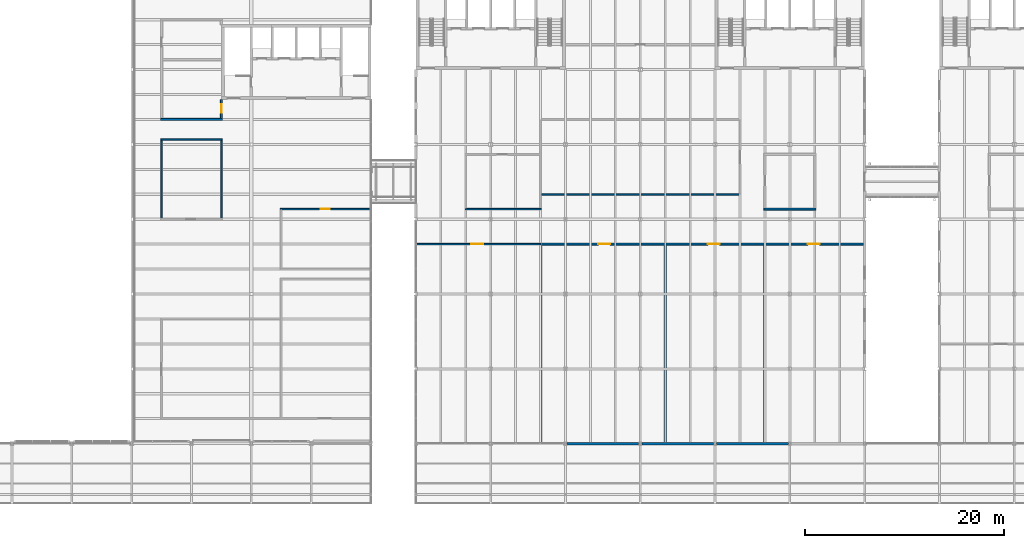
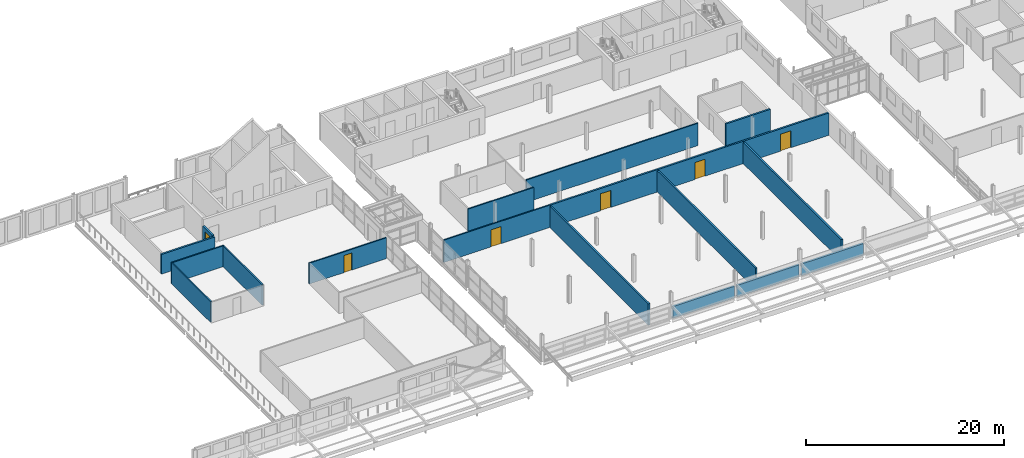
# One storey, part 64 of 214: 17 walls, 6 doors, 6 openings.
"""IFC4 building model written with IfcOpenShell, lengths in metres."""

import ifcopenshell
import ifcopenshell.guid

model = None  # the IFC model being written
_history = None  # IfcOwnerHistory: only IFC2X3 demands one
_inside = {}  # id of a spatial element -> (the spatial element, [elements in it])
_under = {}  # id of a project, library or spatial element -> (it, [spatial elements below it])
_declared = {}  # id of a project -> (the project, [libraries it declares])
_typed = {}  # id of a type object -> (the type object, [elements of that type])
_made_of = {}  # id of a material, layer set ... -> (it, [elements and type objects made of it])


def new_model(schema):
    """Start an empty IFC model of exactly this schema.

    Asked for "IFC4X3", IfcOpenShell would pick the latest addendum, in which some entities
    have other attributes; the version numbers below select the first issue.
    IFC2X3 requires an IfcOwnerHistory on every rooted entity: one is made here for all.
    """
    global model, _history
    if schema == "IFC4X3":
        model = ifcopenshell.file(schema_version=(4, 3, 0, 0))
    else:
        model = ifcopenshell.file(schema=schema)
    _inside.clear()
    _under.clear()
    _declared.clear()
    _typed.clear()
    _made_of.clear()
    _history = None
    if model.schema == "IFC2X3":
        org = make("IfcOrganization", Name="unknown")
        user = make(
            "IfcPersonAndOrganization",
            ThePerson=make("IfcPerson", FamilyName="unknown"),
            TheOrganization=org,
        )
        app = make(
            "IfcApplication",
            ApplicationDeveloper=org,
            Version="unknown",
            ApplicationFullName="unknown",
            ApplicationIdentifier="unknown",
        )
        _history = make(
            "IfcOwnerHistory",
            OwningUser=user,
            OwningApplication=app,
            ChangeAction="ADDED",
            CreationDate=0,
        )
    return model


def make(cls, **values):
    """One entity of the class cls with the attributes given. An attribute that is None is left unset."""
    return model.create_entity(
        cls, **{name: value for name, value in values.items() if value is not None}
    )


def rooted(cls, **values):
    """An entity with a GlobalId (a new one), such as an element, a storey or a relation."""
    return make(cls, GlobalId=ifcopenshell.guid.new(), OwnerHistory=_history, **values)


def si_unit(unit_type, name, prefix=None):
    """IfcSIUnit, for example si_unit("LENGTHUNIT", "METRE", prefix="MILLI")."""
    return make("IfcSIUnit", UnitType=unit_type, Prefix=prefix, Name=name)


def assignment(units):
    """IfcUnitAssignment: the units of a project."""
    return None if units is None else make("IfcUnitAssignment", Units=units)


def point(xyz):
    """IfcCartesianPoint."""
    return None if xyz is None else make("IfcCartesianPoint", Coordinates=xyz)


def direction(xyz):
    """IfcDirection."""
    return None if xyz is None else make("IfcDirection", DirectionRatios=xyz)


def frame(location, z_axis=None, x_axis=None):
    """IfcAxis2Placement3D, a coordinate frame: its origin and axes. An axis left out is left unset."""
    return make(
        "IfcAxis2Placement3D",
        Location=point(location),
        Axis=direction(z_axis),
        RefDirection=direction(x_axis),
    )


def frame_2d(location, x_axis=None):
    """IfcAxis2Placement2D, a coordinate frame in the plane: its origin and x axis."""
    return make(
        "IfcAxis2Placement2D", Location=point(location), RefDirection=direction(x_axis)
    )


def origin():
    """The frame at (0, 0, 0) with its axes left unset."""
    return frame((0.0, 0.0, 0.0))


def place(relative_to, where):
    """IfcLocalPlacement: puts the frame where relative to a parent placement (None: the world)."""
    return make(
        "IfcLocalPlacement", PlacementRelTo=relative_to, RelativePlacement=where
    )


def context(
    kind, dimensions, precision=None, world=None, true_north=None, identifier=None
):
    """IfcGeometricRepresentationContext, for example the 3D "Model" context."""
    return make(
        "IfcGeometricRepresentationContext",
        ContextIdentifier=identifier,
        ContextType=kind,
        CoordinateSpaceDimension=dimensions,
        Precision=precision,
        WorldCoordinateSystem=world,
        TrueNorth=true_north,
    )


def subcontext(parent, identifier, kind, view, scale=None):
    """IfcGeometricRepresentationSubContext, for example "Body" below "Model"."""
    return make(
        "IfcGeometricRepresentationSubContext",
        ContextIdentifier=identifier,
        ContextType=kind,
        ParentContext=parent,
        TargetScale=scale,
        TargetView=view,
    )


def project(units=None, contexts=None):
    """IfcProject with its units and contexts."""
    return rooted(
        "IfcProject",
        Name="project",
        RepresentationContexts=contexts,
        UnitsInContext=assignment(units),
    )


def spatial(cls, under=None, at=None, **own):
    """A site, building, storey or space (cls), placed at a placement, below another one or the project."""
    s = rooted(cls, ObjectPlacement=at, **own)
    if under is not None:
        _under.setdefault(under.id(), (under, []))[1].append(s)
    return s


def profile(cls, at=None, kind="AREA", **sizes):
    """A parametric profile (cls). Its sizes go by their IFC names, for example OverallWidth=200.0."""
    return make(cls, ProfileType=kind, Position=at, **sizes)


def rectangle(**sizes):
    """IfcRectangleProfileDef."""
    return profile("IfcRectangleProfileDef", **sizes)


def extrude(swept, where, along, depth):
    """IfcExtrudedAreaSolid: the profile swept, set in the frame where, extruded along a direction by depth."""
    return make(
        "IfcExtrudedAreaSolid",
        SweptArea=swept,
        Position=where,
        ExtrudedDirection=direction(along),
        Depth=depth,
    )


def shape(context_of_items, identifier, shape_type, items):
    """IfcShapeRepresentation: the items that make up one representation, for example the "Body"."""
    return make(
        "IfcShapeRepresentation",
        ContextOfItems=context_of_items,
        RepresentationIdentifier=identifier,
        RepresentationType=shape_type,
        Items=items,
    )


def material(Name=None, Category=None):
    """IfcMaterial."""
    return make("IfcMaterial", Name=Name, Category=Category)


def layer(
    of_material, thickness, ventilated=None, Name=None, Category=None, Priority=None
):
    """IfcMaterialLayer: one layer of a wall or slab, of a material (None: an air gap)."""
    return make(
        "IfcMaterialLayer",
        Material=of_material,
        LayerThickness=thickness,
        IsVentilated=ventilated,
        Name=Name,
        Category=Category,
        Priority=Priority,
    )


def layer_set(layers, Name=None):
    """IfcMaterialLayerSet."""
    return make("IfcMaterialLayerSet", MaterialLayers=layers, LayerSetName=Name)


def made_of(thing, what):
    """Note that an element or type object is made of a material, layer set ...; save() writes the relation."""
    if what is not None:
        _made_of.setdefault(what.id(), (what, []))[1].append(thing)
    return thing


def type_object(cls, material=None, **own):
    """A type object (cls), such as IfcWallType, which elements share."""
    return made_of(rooted(cls, **own), material)


def element(
    cls,
    number,
    at=None,
    inside=None,
    cuts=None,
    type_object=None,
    material=None,
    context=None,
    identifier="Body",
    shape_type=None,
    held_by="IfcProductDefinitionShape",
    body=None,
    shapes=None,
    **own,
):
    """One element of the class cls, such as IfcWall. Its Tag is "e" and its number.

    at: its placement. inside: the storey or other place that contains it. cuts: it is an
    opening in that element (IfcRelVoidsElement). A single representation is given by context,
    identifier, shape_type and body (its items); several are given by shapes. held_by: the class
    of the entity that holds the representations. save() writes the other relations.
    """
    e = rooted(cls, Tag="e%d" % number, ObjectPlacement=at, **own)
    if body is not None:
        shapes = [shape(context, identifier, shape_type, body)]
    if shapes is not None:
        e.Representation = make(held_by, Representations=shapes)
    if inside is not None:
        _inside.setdefault(inside.id(), (inside, []))[1].append(e)
    if cuts is not None:
        rooted(
            "IfcRelVoidsElement", RelatingBuildingElement=cuts, RelatedOpeningElement=e
        )
    if type_object is not None:
        _typed.setdefault(type_object.id(), (type_object, []))[1].append(e)
    return made_of(e, material)


def fill(opening, filler):
    """IfcRelFillsElement: the door or window that sits in an opening."""
    return rooted(
        "IfcRelFillsElement",
        RelatingOpeningElement=opening,
        RelatedBuildingElement=filler,
    )


def aggregate(whole, parts):
    """IfcRelAggregates: a whole, such as a stair, and the parts it consists of."""
    return rooted("IfcRelAggregates", RelatingObject=whole, RelatedObjects=parts)


def save(model, path):
    """Write the relations noted so far, then the file.

    IfcRelAggregates (storeys below a building ...), IfcRelContainedInSpatialStructure (elements
    in a storey), IfcRelDefinesByType, IfcRelAssociatesMaterial and IfcRelDeclares: one each for
    every whole, place, type object, material and project.
    """
    for whole, parts in _under.values():
        aggregate(whole, parts)
    for where, things in _inside.values():
        rooted(
            "IfcRelContainedInSpatialStructure",
            RelatedElements=things,
            RelatingStructure=where,
        )
    for kind, things in _typed.values():
        rooted("IfcRelDefinesByType", RelatedObjects=things, RelatingType=kind)
    for what, things in _made_of.values():
        rooted("IfcRelAssociatesMaterial", RelatedObjects=things, RelatingMaterial=what)
    for by, libraries in _declared.values():
        rooted("IfcRelDeclares", RelatingContext=by, RelatedDefinitions=libraries)
    model.write(path)


model = new_model("IFC4")

# Units and contexts
model_context = context("Model", 3, precision=1e-05, world=origin(), true_north=direction((0.0, 1.0)))
body_context = subcontext(model_context, "Body", "Model", "MODEL_VIEW")
ifc_project = project(units=[si_unit("LENGTHUNIT", "METRE"), si_unit("AREAUNIT", "SQUARE_METRE"), si_unit("VOLUMEUNIT", "CUBIC_METRE"), si_unit("PLANEANGLEUNIT", "RADIAN"), si_unit("MASSUNIT", "GRAM", prefix="KILO")], contexts=[model_context])

# Site, building, storey
site_placement = place(None, origin())
site = spatial("IfcSite", under=ifc_project, at=site_placement, CompositionType="ELEMENT")
building_placement = place(site_placement, origin())
building = spatial("IfcBuilding", under=site, at=building_placement, Name="Parallax Yard Mobility Hub", CompositionType="ELEMENT")
storey_placement = place(building_placement, frame((0.0, 0.0, 3.300048828125)))
storey = spatial("IfcBuildingStorey", under=building, at=storey_placement, Name="L01", CompositionType="ELEMENT", Elevation=3.300048828125)

# Walls
ifc_material_1 = material(Name="Concrete fc' 35 MPa", Category="concrete")
ifc_layer_1 = layer(ifc_material_1, 0.25)
ifc_layer_set_1 = layer_set([ifc_layer_1], Name="Exterior wall, Concrete fc' 35 MPa precast, 250 with insulation lining")
wall_type_1 = type_object("IfcWallType", Name="Exterior wall, Concrete fc' 35 MPa precast, 250 with insulation lining", PredefinedType="SOLIDWALL", material=ifc_layer_set_1)
for number, where, z_axis, x_axis, name in (
    (1, (112.653564453125, 7.5, 0.0), (0.0, 0.0, 1.0), (1.0, 0.0, 0.0), "Mobility service centre and workshops south wall bay 3 level L01"),
    (2, (120.153564453125, 7.5, 0.0), (0.0, 0.0, 1.0), (1.0, 0.0, 0.0), "Mobility service centre and workshops south wall bay 4 level L01"),
    (3, (127.653564453125, 7.5, 0.0), (0.0, 0.0, 1.0), (1.0, 0.0, 0.0), "Mobility service centre and workshops south wall bay 5 level L01"),
):
    element("IfcWall", number, at=place(storey_placement, frame(where, z_axis=z_axis, x_axis=x_axis)), inside=storey, type_object=wall_type_1, Name=name, PredefinedType="SOLIDWALL", context=body_context, shape_type="SweptSolid", body=[
        extrude(rectangle(XDim=7.19287109375, YDim=0.25, at=frame_2d((3.596435546875, 0.0))), origin(), (0.0, 0.0, 1.0), 1.4404296875),
    ])

# Wall, openings, doors
ifc_material_2 = material(Name="Fire-rated plasterboard partition, two layers each side")
ifc_layer_2 = layer(ifc_material_2, 0.199951171875)
ifc_layer_set_2 = layer_set([ifc_layer_2], Name="Fire-rated partition 200 mm")
wall_type_2 = type_object("IfcWallType", Name="Fire-rated partition 200 mm", PredefinedType="PARTITIONING", material=ifc_layer_set_2)
wall_1_placement = place(storey_placement, frame((110.0, 27.5, 0.0), z_axis=(0.0, 0.0, 1.0), x_axis=(1.0, 0.0, 0.0)))
wall_1 = element("IfcWall", 4, at=wall_1_placement, inside=storey, type_object=wall_type_2, Name="Partition 9 level L01", PredefinedType="PARTITIONING", context=body_context, shape_type="SweptSolid", body=[
    extrude(rectangle(XDim=32.375, YDim=0.199951171875, at=frame_2d((16.1875, 0.0))), origin(), (0.0, 0.0, 1.0), 2.7509765625),
])
opening_1_placement = place(wall_1_placement, frame((5.800048828125, 0.0, 0.0)))
opening_1 = element("IfcOpeningElement", 5, at=opening_1_placement, cuts=wall_1, Name="Opening L01-D206", PredefinedType="OPENING", context=body_context, shape_type="SweptSolid", body=[
    extrude(rectangle(XDim=1.199951171875, YDim=2.10009765625, at=frame_2d((0.60009765625, 1.050048828125))), frame((0.0, 0.10986328125, 0.0), z_axis=(0.0, -1.0, 0.0), x_axis=(1.0, 0.0, 0.0)), (0.0, 0.0, 1.0), 0.219970703125),
])
opening_2_placement = place(wall_1_placement, frame((16.775146484375, 0.0, 0.0)))
opening_2 = element("IfcOpeningElement", 6, at=opening_2_placement, cuts=wall_1, Name="Opening L01-D207", PredefinedType="OPENING", context=body_context, shape_type="SweptSolid", body=[
    extrude(rectangle(XDim=1.199951171875, YDim=2.10009765625, at=frame_2d((0.60009765625, 1.050048828125))), frame((0.0, 0.10986328125, 0.0), z_axis=(0.0, -1.0, 0.0), x_axis=(1.0, 0.0, 0.0)), (0.0, 0.0, 1.0), 0.219970703125),
])
opening_3_placement = place(wall_1_placement, frame((26.775146484375, 0.0, 0.0)))
opening_3 = element("IfcOpeningElement", 7, at=opening_3_placement, cuts=wall_1, Name="Opening L01-D208", PredefinedType="OPENING", context=body_context, shape_type="SweptSolid", body=[
    extrude(rectangle(XDim=1.199951171875, YDim=2.10009765625, at=frame_2d((0.60009765625, 1.050048828125))), frame((0.0, 0.10986328125, 0.0), z_axis=(0.0, -1.0, 0.0), x_axis=(1.0, 0.0, 0.0)), (0.0, 0.0, 1.0), 0.219970703125),
])
ifc_material_3 = material(Name="Hollow metal fire door leaf with intumescent seals")
door_type_1 = type_object("IfcDoorType", Name="Fire door 1200 mm FD60", OperationType="DOUBLE_DOOR_SINGLE_SWING", PredefinedType="DOOR", material=ifc_material_3)
door_1_placement = place(opening_1_placement, origin())
door_1 = element("IfcDoor", 8, at=door_1_placement, inside=storey, type_object=door_type_1, Name="Door L01-D206 Cycle Servicing Workshop", OperationType="DOUBLE_DOOR_SINGLE_SWING", OverallHeight=2.10009765625, OverallWidth=1.199951171875, PredefinedType="DOOR", context=body_context, shape_type="SweptSolid", body=[
    extrude(rectangle(XDim=1.199951171875, YDim=2.10009765625, at=frame_2d((0.60009765625, 1.050048828125))), frame((0.0, 0.02490234375, 0.0), z_axis=(0.0, -1.0, 0.0), x_axis=(1.0, 0.0, 0.0)), (0.0, 0.0, 1.0), 0.050048828125),
])
fill(opening_1, door_1)
door_2_placement = place(opening_2_placement, origin())
door_2 = element("IfcDoor", 9, at=door_2_placement, inside=storey, type_object=door_type_1, Name="Door L01-D207 EV Servicing Workshop", OperationType="DOUBLE_DOOR_SINGLE_SWING", OverallHeight=2.10009765625, OverallWidth=1.199951171875, PredefinedType="DOOR", context=body_context, shape_type="SweptSolid", body=[
    extrude(rectangle(XDim=1.199951171875, YDim=2.10009765625, at=frame_2d((0.60009765625, 1.050048828125))), frame((0.0, 0.02490234375, 0.0), z_axis=(0.0, -1.0, 0.0), x_axis=(1.0, 0.0, 0.0)), (0.0, 0.0, 1.0), 0.050048828125),
])
fill(opening_2, door_2)
door_3_placement = place(opening_3_placement, origin())
door_3 = element("IfcDoor", 10, at=door_3_placement, inside=storey, type_object=door_type_1, Name="Door L01-D208 Workshop Store", OperationType="DOUBLE_DOOR_SINGLE_SWING", OverallHeight=2.10009765625, OverallWidth=1.199951171875, PredefinedType="DOOR", context=body_context, shape_type="SweptSolid", body=[
    extrude(rectangle(XDim=1.199951171875, YDim=2.10009765625, at=frame_2d((0.60009765625, 1.050048828125))), frame((0.0, 0.02490234375, 0.0), z_axis=(0.0, -1.0, 0.0), x_axis=(1.0, 0.0, 0.0)), (0.0, 0.0, 1.0), 0.050048828125),
])
fill(opening_3, door_3)

# Walls
wall_2_placement = place(storey_placement, frame((132.39990234375, 31.0, 0.0), z_axis=(0.0, 0.0, 1.0), x_axis=(1.0, 0.0, 0.0)))
element("IfcWall", 11, at=wall_2_placement, inside=storey, type_object=wall_type_2, Name="Partition 14 level L01", PredefinedType="PARTITIONING", context=body_context, shape_type="SweptSolid", body=[
    extrude(rectangle(XDim=5.2001953125, YDim=0.199951171875, at=frame_2d((2.60009765625, 0.0))), origin(), (0.0, 0.0, 1.0), 2.7509765625),
])
wall_3_placement = place(storey_placement, frame((71.89990234375, 40.0, 0.0), z_axis=(0.0, 0.0, 1.0), x_axis=(1.0, 0.0, 0.0)))
element("IfcWall", 12, at=wall_3_placement, inside=storey, type_object=wall_type_2, Name="Partition 23 level L01", PredefinedType="PARTITIONING", context=body_context, shape_type="SweptSolid", body=[
    extrude(rectangle(XDim=6.2001953125, YDim=0.199951171875, at=frame_2d((3.10009765625, 0.0))), origin(), (0.0, 0.0, 1.0), 2.409912109375),
])

# Wall, opening, door
wall_4_placement = place(storey_placement, frame((78.0, 40.10009765625, 0.0), z_axis=(0.0, 0.0, 1.0), x_axis=(0.0, 1.0, 0.0)))
wall_4 = element("IfcWall", 13, at=wall_4_placement, inside=storey, type_object=wall_type_2, Name="Partition 48 level L01", PredefinedType="PARTITIONING", context=body_context, shape_type="SweptSolid", body=[
    extrude(rectangle(XDim=1.89990234375, YDim=0.199951171875, at=frame_2d((0.949951171875, 0.0))), origin(), (0.0, 0.0, 1.0), 2.56005859375),
])
opening_4_placement = place(wall_4_placement, frame((0.550048828125, 0.0, 0.0)))
opening_4 = element("IfcOpeningElement", 14, at=opening_4_placement, cuts=wall_4, Name="Opening L01-D219", PredefinedType="OPENING", context=body_context, shape_type="SweptSolid", body=[
    extrude(rectangle(XDim=0.89990234375, YDim=2.10009765625, at=frame_2d((0.449951171875, 1.050048828125))), frame((0.0, 0.10986328125, 0.0), z_axis=(0.0, -1.0, 0.0), x_axis=(1.0, 0.0, 0.0)), (0.0, 0.0, 1.0), 0.219970703125),
])
door_type_2 = type_object("IfcDoorType", Name="Fire door 900 mm FD60", OperationType="NOTDEFINED", PredefinedType="DOOR", material=ifc_material_3)
door_4_placement = place(opening_4_placement, origin())
door_4 = element("IfcDoor", 15, at=door_4_placement, inside=storey, type_object=door_type_2, Name="Door L01-D219 Women's WC", OperationType="SINGLE_SWING_RIGHT", OverallHeight=2.10009765625, OverallWidth=0.89990234375, PredefinedType="DOOR", context=body_context, shape_type="SweptSolid", body=[
    extrude(rectangle(XDim=0.89990234375, YDim=2.10009765625, at=frame_2d((0.449951171875, 1.050048828125))), frame((0.0, 0.02490234375, 0.0), z_axis=(0.0, -1.0, 0.0), x_axis=(1.0, 0.0, 0.0)), (0.0, 0.0, 1.0), 0.050048828125),
])
fill(opening_4, door_4)

# Walls
wall_5_placement = place(storey_placement, frame((110.0, 7.574951171875, 0.0), z_axis=(0.0, 0.0, 1.0), x_axis=(0.0, 1.0, 0.0)))
element("IfcWall", 16, at=wall_5_placement, inside=storey, type_object=wall_type_2, Name="Partition 57 level L01", PredefinedType="PARTITIONING", context=body_context, shape_type="SweptSolid", body=[
    extrude(rectangle(XDim=19.824951171875, YDim=0.199951171875, at=frame_2d((9.91259765625, 0.0))), origin(), (0.0, 0.0, 1.0), 2.626953125),
])
for number, where, z_axis, x_axis, name in (
    (17, (122.5, 7.625, 0.0), (0.0, 0.0, 1.0), (0.0, 1.0, 0.0), "Partition 59 level L01"),
    (18, (132.5, 7.625, 0.0), (0.0, 0.0, 1.0), (0.0, 1.0, 0.0), "Partition 61 level L01"),
):
    element("IfcWall", number, at=place(storey_placement, frame(where, z_axis=z_axis, x_axis=x_axis)), inside=storey, type_object=wall_type_2, Name=name, PredefinedType="PARTITIONING", context=body_context, shape_type="SweptSolid", body=[
        extrude(rectangle(XDim=19.77490234375, YDim=0.199951171875, at=frame_2d((9.887451171875, 0.0))), origin(), (0.0, 0.0, 1.0), 2.626953125),
    ])

# Wall, opening, door
ifc_material_4 = material(Name="Plasterboard partition on light framing")
ifc_layer_3 = layer(ifc_material_4, 0.14990234375)
ifc_layer_set_3 = layer_set([ifc_layer_3], Name="Partition 150 mm")
wall_type_3 = type_object("IfcWallType", Name="Partition 150 mm", PredefinedType="PARTITIONING", material=ifc_layer_set_3)
wall_6_placement = place(storey_placement, frame((97.574951171875, 27.5, 0.0), z_axis=(0.0, 0.0, 1.0), x_axis=(1.0, 0.0, 0.0)))
wall_6 = element("IfcWall", 19, at=wall_6_placement, inside=storey, type_object=wall_type_3, Name="Partition 8 level L01", PredefinedType="PARTITIONING", context=body_context, shape_type="SweptSolid", body=[
    extrude(rectangle(XDim=12.425048828125, YDim=0.14990234375, at=frame_2d((6.21240234375, 0.0))), origin(), (0.0, 0.0, 1.0), 2.7509765625),
])
opening_5_placement = place(wall_6_placement, frame((5.47509765625, 0.0, 0.0)))
opening_5 = element("IfcOpeningElement", 20, at=opening_5_placement, cuts=wall_6, Name="Opening L01-D205", PredefinedType="OPENING", context=body_context, shape_type="SweptSolid", body=[
    extrude(rectangle(XDim=1.199951171875, YDim=2.10009765625, at=frame_2d((0.60009765625, 1.050048828125))), frame((0.0, 0.0849609375, 0.0), z_axis=(0.0, -1.0, 0.0), x_axis=(1.0, 0.0, 0.0)), (0.0, 0.0, 1.0), 0.169921875),
])
ifc_material_5 = material(Name="Solid timber door leaf", Category="wood")
door_type_3 = type_object("IfcDoorType", Name="Interior door 1200 mm", OperationType="DOUBLE_DOOR_SINGLE_SWING", PredefinedType="DOOR", material=ifc_material_5)
door_5_placement = place(opening_5_placement, origin())
door_5 = element("IfcDoor", 21, at=door_5_placement, inside=storey, type_object=door_type_3, Name="Door L01-D205 Training Room", OperationType="DOUBLE_DOOR_SINGLE_SWING", OverallHeight=2.10009765625, OverallWidth=1.199951171875, PredefinedType="DOOR", context=body_context, shape_type="SweptSolid", body=[
    extrude(rectangle(XDim=1.199951171875, YDim=2.10009765625, at=frame_2d((0.60009765625, 1.050048828125))), frame((0.0, 0.02490234375, 0.0), z_axis=(0.0, -1.0, 0.0), x_axis=(1.0, 0.0, 0.0)), (0.0, 0.0, 1.0), 0.050048828125),
])
fill(opening_5, door_5)

wall_7_placement = place(storey_placement, frame((83.925048828125, 31.0, 0.0), z_axis=(0.0, 0.0, 1.0), x_axis=(1.0, 0.0, 0.0)))
wall_7 = element("IfcWall", 22, at=wall_7_placement, inside=storey, type_object=wall_type_3, Name="Partition 12 level L01", PredefinedType="PARTITIONING", context=body_context, shape_type="SweptSolid", body=[
    extrude(rectangle(XDim=9.0, YDim=0.14990234375, at=frame_2d((4.5, 0.0))), origin(), (0.0, 0.0, 1.0), 2.56005859375),
])
opening_6_placement = place(wall_7_placement, frame((4.050048828125, 0.0, 0.0)))
opening_6 = element("IfcOpeningElement", 23, at=opening_6_placement, cuts=wall_7, Name="Opening L01-D210", PredefinedType="OPENING", context=body_context, shape_type="SweptSolid", body=[
    extrude(rectangle(XDim=0.89990234375, YDim=2.10009765625, at=frame_2d((0.449951171875, 1.050048828125))), frame((0.0, 0.0849609375, 0.0), z_axis=(0.0, -1.0, 0.0), x_axis=(1.0, 0.0, 0.0)), (0.0, 0.0, 1.0), 0.169921875),
])
door_type_4 = type_object("IfcDoorType", Name="Interior door 900 mm", OperationType="NOTDEFINED", PredefinedType="DOOR", material=ifc_material_5)
door_6_placement = place(opening_6_placement, origin())
door_6 = element("IfcDoor", 24, at=door_6_placement, inside=storey, type_object=door_type_4, Name="Door L01-D210 Staff Room", OperationType="SINGLE_SWING_LEFT", OverallHeight=2.10009765625, OverallWidth=0.89990234375, PredefinedType="DOOR", context=body_context, shape_type="SweptSolid", body=[
    extrude(rectangle(XDim=0.89990234375, YDim=2.10009765625, at=frame_2d((0.449951171875, 1.050048828125))), frame((0.0, 0.02490234375, 0.0), z_axis=(0.0, -1.0, 0.0), x_axis=(1.0, 0.0, 0.0)), (0.0, 0.0, 1.0), 0.050048828125),
])
fill(opening_6, door_6)

# Walls
wall_8_placement = place(storey_placement, frame((102.425048828125, 31.0, 0.0), z_axis=(0.0, 0.0, 1.0), x_axis=(1.0, 0.0, 0.0)))
element("IfcWall", 25, at=wall_8_placement, inside=storey, type_object=wall_type_3, Name="Partition 13 level L01", PredefinedType="PARTITIONING", context=body_context, shape_type="SweptSolid", body=[
    extrude(rectangle(XDim=7.64990234375, YDim=0.14990234375, at=frame_2d((3.824951171875, 0.0))), origin(), (0.0, 0.0, 1.0), 2.7509765625),
])
wall_9_placement = place(storey_placement, frame((110.074951171875, 32.5, 0.0), z_axis=(0.0, 0.0, 1.0), x_axis=(1.0, 0.0, 0.0)))
element("IfcWall", 26, at=wall_9_placement, inside=storey, type_object=wall_type_3, Name="Partition 17 level L01", PredefinedType="PARTITIONING", context=body_context, shape_type="SweptSolid", body=[
    extrude(rectangle(XDim=20.0, YDim=0.14990234375, at=frame_2d((10.0, 0.0))), origin(), (0.0, 0.0, 1.0), 2.7509765625),
])
wall_10_placement = place(storey_placement, frame((71.925048828125, 38.0, 0.0), z_axis=(0.0, 0.0, 1.0), x_axis=(1.0, 0.0, 0.0)))
element("IfcWall", 27, at=wall_10_placement, inside=storey, type_object=wall_type_3, Name="Partition 22 level L01", PredefinedType="PARTITIONING", context=body_context, shape_type="SweptSolid", body=[
    extrude(rectangle(XDim=6.14990234375, YDim=0.14990234375, at=frame_2d((3.074951171875, 0.0))), origin(), (0.0, 0.0, 1.0), 2.56005859375),
])
for number, where, z_axis, x_axis, name in (
    (28, (72.0, 30.074951171875, 0.0), (0.0, 0.0, 1.0), (0.0, 1.0, 0.0), "Partition 45 level L01"),
    (29, (78.0, 30.074951171875, 0.0), (0.0, 0.0, 1.0), (0.0, 1.0, 0.0), "Partition 47 level L01"),
):
    element("IfcWall", number, at=place(storey_placement, frame(where, z_axis=z_axis, x_axis=x_axis)), inside=storey, type_object=wall_type_3, Name=name, PredefinedType="PARTITIONING", context=body_context, shape_type="SweptSolid", body=[
        extrude(rectangle(XDim=7.85009765625, YDim=0.14990234375, at=frame_2d((3.925048828125, 0.0))), origin(), (0.0, 0.0, 1.0), 2.56005859375),
    ])

save(model, "model.ifc")
